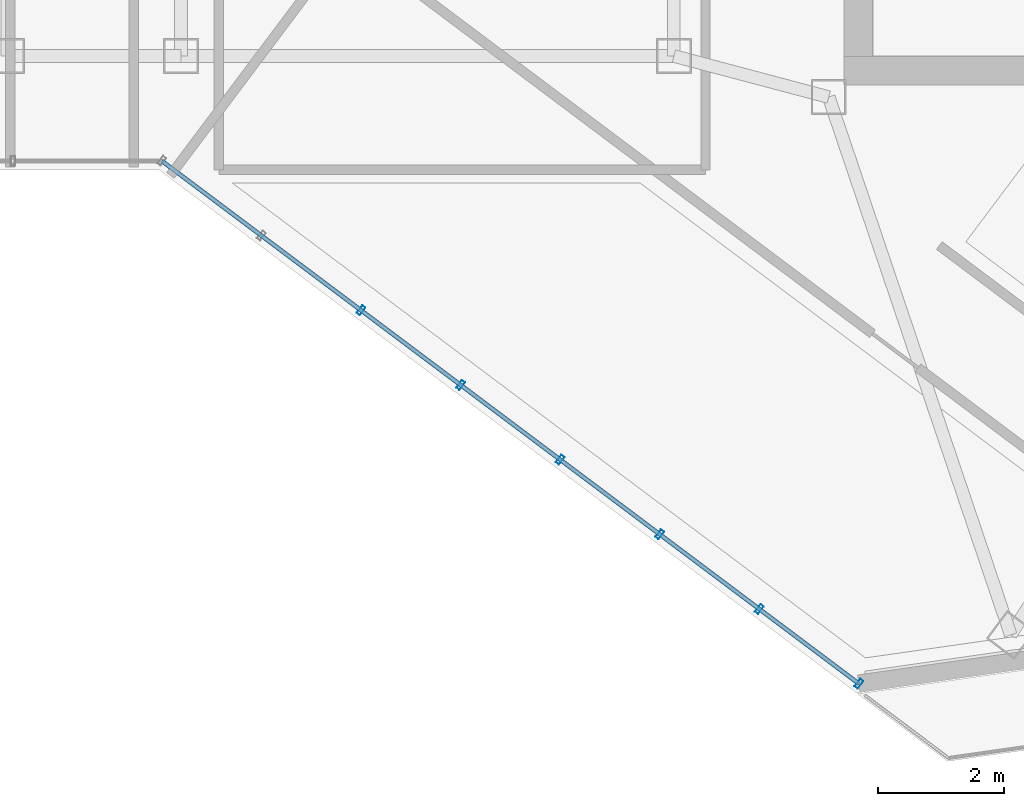
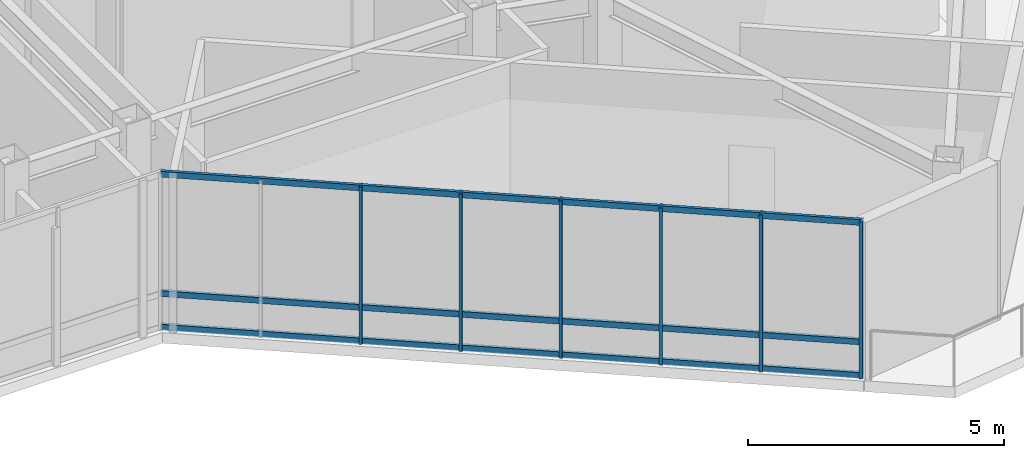
# One storey, part 2 of 23: 9 members, 1 element without a shape of its own.
"""IFC4 building model written with IfcOpenShell, lengths in metres."""

from ifc_helpers import new_model, si_unit, direction, frame, origin, origin_2d, place, context, subcontext, project, spatial, hollow_rectangle, extrude, material, layer, layer_set, material_profile, profile_set, type_object, element, aggregate, save


model = new_model("IFC4")

# Units and contexts
model_context = context("Model", 3, precision=1e-05, world=origin(), true_north=direction((0.0, 1.0)))
body_context = subcontext(model_context, "Body", "Model", "MODEL_VIEW")
ifc_project = project(units=[si_unit("LENGTHUNIT", "METRE"), si_unit("AREAUNIT", "SQUARE_METRE"), si_unit("VOLUMEUNIT", "CUBIC_METRE"), si_unit("PLANEANGLEUNIT", "RADIAN"), si_unit("MASSUNIT", "GRAM", prefix="KILO")], contexts=[model_context])

# Site, building, storey
site_placement = place(None, origin())
site = spatial("IfcSite", under=ifc_project, at=site_placement, CompositionType="ELEMENT")
building_placement = place(site_placement, origin())
building = spatial("IfcBuilding", under=site, at=building_placement, Name="Hatsunagi Terrace Concourse", CompositionType="ELEMENT")
storey_placement = place(building_placement, frame((0.0, 0.0, 281.949951171875)))
storey = spatial("IfcBuildingStorey", under=building, at=storey_placement, Name="L74", CompositionType="ELEMENT", Elevation=281.949951171875)

# Curtain wall, members
ifc_material_1 = material(Name="Anodised Aluminium Alloy 6063-T5", Category="aluminium")
ifc_layer = layer(ifc_material_1, 0.199951171875)
ifc_layer_set = layer_set([ifc_layer], Name="CrownWintergarden_CW06")
curtain_wall_type = type_object("IfcCurtainWallType", Name="CrownWintergarden_CW06", PredefinedType="NOTDEFINED", material=ifc_layer_set)
curtain_wall_placement = place(storey_placement, origin())
curtain_wall = element("IfcCurtainWall", 1, at=curtain_wall_placement, inside=storey, type_object=curtain_wall_type, Name="Unitised Curtain Wall CW-06 CW-L74-05", PredefinedType="NOTDEFINED")
ifc_material_2 = material(Name="Anodised Aluminium Alloy 6063-T5", Category="aluminium")
ifc_material_profile_1 = material_profile(ifc_material_2, hollow_rectangle(XDim=0.06494140625, YDim=0.14990234375, WallThickness=0.00390625, at=origin_2d()), Name="ALU-MUL-150x65x4")
ifc_profile_set_1 = profile_set([ifc_material_profile_1], Name="Anodised Aluminium Alloy 6063-T5")
member_type_1 = type_object("IfcMemberType", Name="CurtainWallMullion_Crown_150x65", PredefinedType="MULLION", material=ifc_profile_set_1)
member_1_placement = place(storey_placement, frame((36.278076171875, 15.26708984375, 0.0), z_axis=(0.0, 0.0, 1.0), x_axis=(-0.80000835285, 0.599988862705, 0.0)))
member_1 = element("IfcMember", 2, at=member_1_placement, type_object=member_type_1, Name="Curtain Wall Mullion MUL-03", PredefinedType="MULLION", context=body_context, shape_type="SweptSolid", body=[
    extrude(hollow_rectangle(XDim=0.06494140625, YDim=0.14990234375, WallThickness=0.00390625, at=origin_2d()), origin(), (0.0, 0.0, 1.0), 3.75),
])
member_2_placement = place(storey_placement, frame((34.701904296875, 16.448974609375, 0.0), z_axis=(0.0, 0.0, 1.0), x_axis=(-0.80000835285, 0.599988862705, 0.0)))
member_2 = element("IfcMember", 3, at=member_2_placement, type_object=member_type_1, Name="Curtain Wall Mullion MUL-03", PredefinedType="MULLION", context=body_context, shape_type="SweptSolid", body=[
    extrude(hollow_rectangle(XDim=0.06494140625, YDim=0.14990234375, WallThickness=0.00390625, at=origin_2d()), origin(), (0.0, 0.0, 1.0), 3.75),
])
member_3_placement = place(storey_placement, frame((33.1259765625, 17.631103515625, 0.0), z_axis=(0.0, 0.0, 1.0), x_axis=(-0.80000835285, 0.599988862705, 0.0)))
member_3 = element("IfcMember", 4, at=member_3_placement, type_object=member_type_1, Name="Curtain Wall Mullion MUL-03", PredefinedType="MULLION", context=body_context, shape_type="SweptSolid", body=[
    extrude(hollow_rectangle(XDim=0.06494140625, YDim=0.14990234375, WallThickness=0.00390625, at=origin_2d()), origin(), (0.0, 0.0, 1.0), 3.75),
])
member_4_placement = place(storey_placement, frame((31.550048828125, 18.81298828125, 0.0), z_axis=(0.0, 0.0, 1.0), x_axis=(-0.80000835285, 0.599988862705, 0.0)))
member_4 = element("IfcMember", 5, at=member_4_placement, type_object=member_type_1, Name="Curtain Wall Mullion MUL-03", PredefinedType="MULLION", context=body_context, shape_type="SweptSolid", body=[
    extrude(hollow_rectangle(XDim=0.06494140625, YDim=0.14990234375, WallThickness=0.00390625, at=origin_2d()), origin(), (0.0, 0.0, 1.0), 3.75),
])
member_5_placement = place(storey_placement, frame((29.97509765625, 19.993896484375, 0.0), z_axis=(0.0, 0.0, 1.0), x_axis=(-0.80000835285, 0.599988862705, 0.0)))
member_5 = element("IfcMember", 6, at=member_5_placement, type_object=member_type_1, Name="Curtain Wall Mullion MUL-03", PredefinedType="MULLION", context=body_context, shape_type="SweptSolid", body=[
    extrude(hollow_rectangle(XDim=0.06494140625, YDim=0.14990234375, WallThickness=0.00390625, at=origin_2d()), origin(), (0.0, 0.0, 1.0), 3.75),
])
member_6_placement = place(storey_placement, frame((28.39892578125, 21.176025390625, 0.0), z_axis=(0.0, 0.0, 1.0), x_axis=(-0.80000835285, 0.599988862705, 0.0)))
member_6 = element("IfcMember", 7, at=member_6_placement, type_object=member_type_1, Name="Curtain Wall Mullion MUL-03", PredefinedType="MULLION", context=body_context, shape_type="SweptSolid", body=[
    extrude(hollow_rectangle(XDim=0.06494140625, YDim=0.14990234375, WallThickness=0.00390625, at=origin_2d()), origin(), (0.0, 0.0, 1.0), 3.75),
])
ifc_material_3 = material(Name="Anodised Aluminium Alloy 6063-T5", Category="aluminium")
ifc_material_profile_2 = material_profile(ifc_material_3, hollow_rectangle(XDim=0.06494140625, YDim=0.139892578125, WallThickness=0.00390625, at=origin_2d()), Name="ALU-TRN-140x65x4")
ifc_profile_set_2 = profile_set([ifc_material_profile_2], Name="Anodised Aluminium Alloy 6063-T5")
member_type_2 = type_object("IfcMemberType", Name="CurtainWallTransom_140x65", PredefinedType="USERDEFINED", material=ifc_profile_set_2)
member_7_placement = place(storey_placement, frame((36.278076171875, 15.26708984375, 0.050048828125), z_axis=(-0.80001062348, 0.599985835098, 0.0), x_axis=(-0.599985835098, -0.80001062348, 0.0)))
member_7 = element("IfcMember", 8, at=member_7_placement, type_object=member_type_2, Name="Curtain Wall Transom TRN-02", ObjectType="TRANSOM", PredefinedType="USERDEFINED", context=body_context, shape_type="SweptSolid", body=[
    extrude(hollow_rectangle(XDim=0.06494140625, YDim=0.139892578125, WallThickness=0.00390625, at=origin_2d()), origin(), (0.0, 0.0, 1.0), 13.78857421875),
])
member_8_placement = place(storey_placement, frame((36.278076171875, 15.26708984375, 0.85009765625), z_axis=(-0.80001062348, 0.599985835098, 0.0), x_axis=(-0.599985835098, -0.80001062348, 0.0)))
member_8 = element("IfcMember", 9, at=member_8_placement, type_object=member_type_2, Name="Curtain Wall Transom TRN-02", ObjectType="TRANSOM", PredefinedType="USERDEFINED", context=body_context, shape_type="SweptSolid", body=[
    extrude(hollow_rectangle(XDim=0.06494140625, YDim=0.139892578125, WallThickness=0.00390625, at=origin_2d()), origin(), (0.0, 0.0, 1.0), 13.78857421875),
])
member_9_placement = place(storey_placement, frame((36.278076171875, 15.26708984375, 3.699951171875), z_axis=(-0.80001062348, 0.599985835098, 0.0), x_axis=(-0.599985835098, -0.80001062348, 0.0)))
member_9 = element("IfcMember", 10, at=member_9_placement, type_object=member_type_2, Name="Curtain Wall Transom TRN-02", ObjectType="TRANSOM", PredefinedType="USERDEFINED", context=body_context, shape_type="SweptSolid", body=[
    extrude(hollow_rectangle(XDim=0.06494140625, YDim=0.139892578125, WallThickness=0.00390625, at=origin_2d()), origin(), (0.0, 0.0, 1.0), 13.78857421875),
])
aggregate(curtain_wall, [member_1, member_2, member_3, member_4, member_5, member_6, member_7, member_8, member_9])

save(model, "model.ifc")
